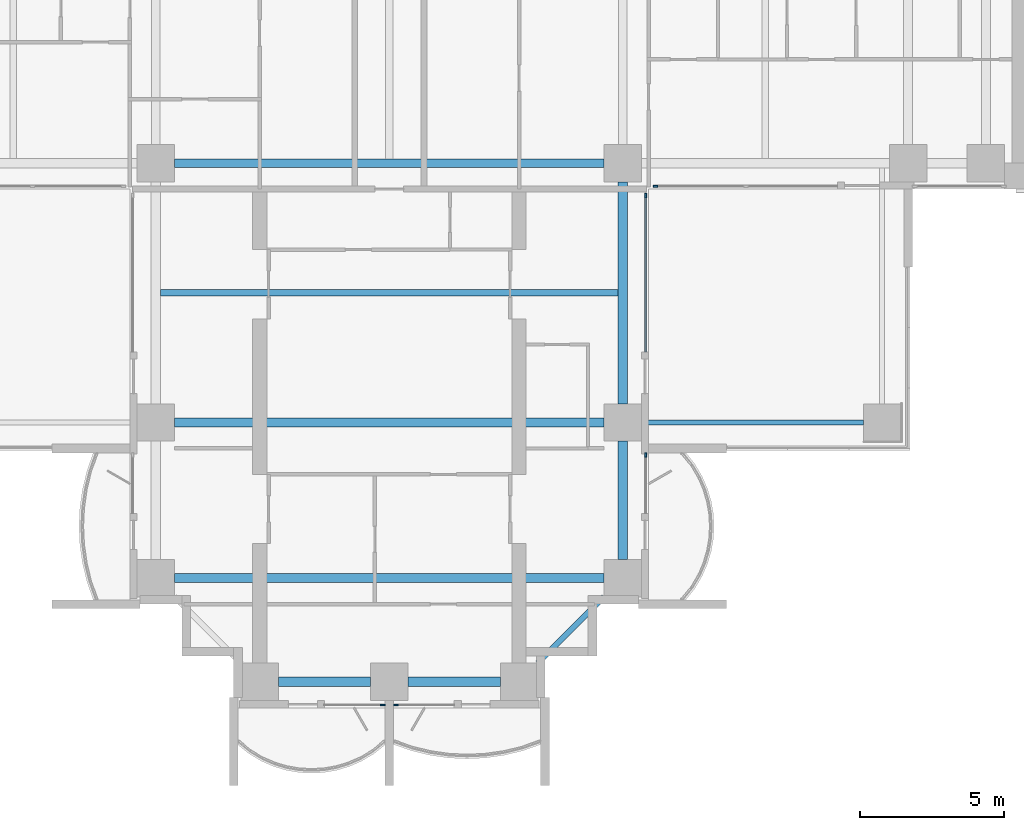
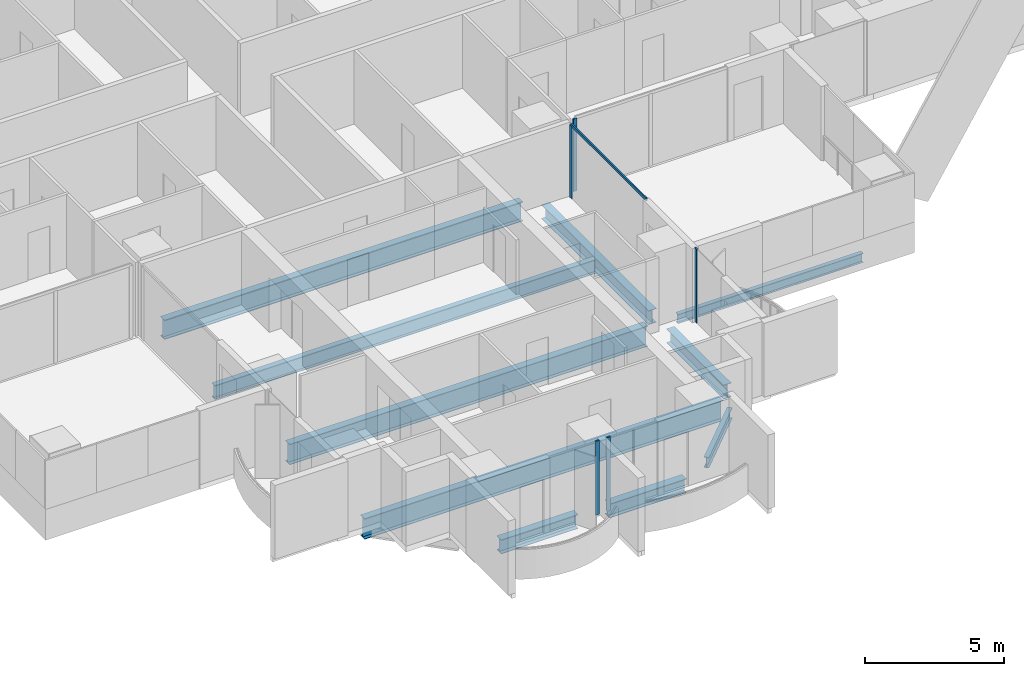
# One storey, part 3 of 21: 10 beams, 6 members, 5 elements without a shape of their own.
"""IFC4 building model written with IfcOpenShell, lengths in metres."""

import ifcopenshell
import ifcopenshell.guid

model = None  # the IFC model being written
_history = None  # IfcOwnerHistory: only IFC2X3 demands one
_inside = {}  # id of a spatial element -> (the spatial element, [elements in it])
_under = {}  # id of a project, library or spatial element -> (it, [spatial elements below it])
_declared = {}  # id of a project -> (the project, [libraries it declares])
_typed = {}  # id of a type object -> (the type object, [elements of that type])
_made_of = {}  # id of a material, layer set ... -> (it, [elements and type objects made of it])


def new_model(schema):
    """Start an empty IFC model of exactly this schema.

    Asked for "IFC4X3", IfcOpenShell would pick the latest addendum, in which some entities
    have other attributes; the version numbers below select the first issue.
    IFC2X3 requires an IfcOwnerHistory on every rooted entity: one is made here for all.
    """
    global model, _history
    if schema == "IFC4X3":
        model = ifcopenshell.file(schema_version=(4, 3, 0, 0))
    else:
        model = ifcopenshell.file(schema=schema)
    _inside.clear()
    _under.clear()
    _declared.clear()
    _typed.clear()
    _made_of.clear()
    _history = None
    if model.schema == "IFC2X3":
        org = make("IfcOrganization", Name="unknown")
        user = make(
            "IfcPersonAndOrganization",
            ThePerson=make("IfcPerson", FamilyName="unknown"),
            TheOrganization=org,
        )
        app = make(
            "IfcApplication",
            ApplicationDeveloper=org,
            Version="unknown",
            ApplicationFullName="unknown",
            ApplicationIdentifier="unknown",
        )
        _history = make(
            "IfcOwnerHistory",
            OwningUser=user,
            OwningApplication=app,
            ChangeAction="ADDED",
            CreationDate=0,
        )
    return model


def make(cls, **values):
    """One entity of the class cls with the attributes given. An attribute that is None is left unset."""
    return model.create_entity(
        cls, **{name: value for name, value in values.items() if value is not None}
    )


def rooted(cls, **values):
    """An entity with a GlobalId (a new one), such as an element, a storey or a relation."""
    return make(cls, GlobalId=ifcopenshell.guid.new(), OwnerHistory=_history, **values)


def si_unit(unit_type, name, prefix=None):
    """IfcSIUnit, for example si_unit("LENGTHUNIT", "METRE", prefix="MILLI")."""
    return make("IfcSIUnit", UnitType=unit_type, Prefix=prefix, Name=name)


def assignment(units):
    """IfcUnitAssignment: the units of a project."""
    return None if units is None else make("IfcUnitAssignment", Units=units)


def point(xyz):
    """IfcCartesianPoint."""
    return None if xyz is None else make("IfcCartesianPoint", Coordinates=xyz)


def direction(xyz):
    """IfcDirection."""
    return None if xyz is None else make("IfcDirection", DirectionRatios=xyz)


def frame(location, z_axis=None, x_axis=None):
    """IfcAxis2Placement3D, a coordinate frame: its origin and axes. An axis left out is left unset."""
    return make(
        "IfcAxis2Placement3D",
        Location=point(location),
        Axis=direction(z_axis),
        RefDirection=direction(x_axis),
    )


def frame_2d(location, x_axis=None):
    """IfcAxis2Placement2D, a coordinate frame in the plane: its origin and x axis."""
    return make(
        "IfcAxis2Placement2D", Location=point(location), RefDirection=direction(x_axis)
    )


def origin():
    """The frame at (0, 0, 0) with its axes left unset."""
    return frame((0.0, 0.0, 0.0))


def origin_2d():
    """The frame at (0, 0) in the plane with its x axis left unset."""
    return frame_2d((0.0, 0.0))


def place(relative_to, where):
    """IfcLocalPlacement: puts the frame where relative to a parent placement (None: the world)."""
    return make(
        "IfcLocalPlacement", PlacementRelTo=relative_to, RelativePlacement=where
    )


def context(
    kind, dimensions, precision=None, world=None, true_north=None, identifier=None
):
    """IfcGeometricRepresentationContext, for example the 3D "Model" context."""
    return make(
        "IfcGeometricRepresentationContext",
        ContextIdentifier=identifier,
        ContextType=kind,
        CoordinateSpaceDimension=dimensions,
        Precision=precision,
        WorldCoordinateSystem=world,
        TrueNorth=true_north,
    )


def subcontext(parent, identifier, kind, view, scale=None):
    """IfcGeometricRepresentationSubContext, for example "Body" below "Model"."""
    return make(
        "IfcGeometricRepresentationSubContext",
        ContextIdentifier=identifier,
        ContextType=kind,
        ParentContext=parent,
        TargetScale=scale,
        TargetView=view,
    )


def project(units=None, contexts=None):
    """IfcProject with its units and contexts."""
    return rooted(
        "IfcProject",
        Name="project",
        RepresentationContexts=contexts,
        UnitsInContext=assignment(units),
    )


def spatial(cls, under=None, at=None, **own):
    """A site, building, storey or space (cls), placed at a placement, below another one or the project."""
    s = rooted(cls, ObjectPlacement=at, **own)
    if under is not None:
        _under.setdefault(under.id(), (under, []))[1].append(s)
    return s


def profile(cls, at=None, kind="AREA", **sizes):
    """A parametric profile (cls). Its sizes go by their IFC names, for example OverallWidth=200.0."""
    return make(cls, ProfileType=kind, Position=at, **sizes)


def rectangle(**sizes):
    """IfcRectangleProfileDef."""
    return profile("IfcRectangleProfileDef", **sizes)


def i_section(**sizes):
    """IfcIShapeProfileDef."""
    return profile("IfcIShapeProfileDef", **sizes)


def extrude(swept, where, along, depth):
    """IfcExtrudedAreaSolid: the profile swept, set in the frame where, extruded along a direction by depth."""
    return make(
        "IfcExtrudedAreaSolid",
        SweptArea=swept,
        Position=where,
        ExtrudedDirection=direction(along),
        Depth=depth,
    )


def shape(context_of_items, identifier, shape_type, items):
    """IfcShapeRepresentation: the items that make up one representation, for example the "Body"."""
    return make(
        "IfcShapeRepresentation",
        ContextOfItems=context_of_items,
        RepresentationIdentifier=identifier,
        RepresentationType=shape_type,
        Items=items,
    )


def material(Name=None, Category=None):
    """IfcMaterial."""
    return make("IfcMaterial", Name=Name, Category=Category)


def material_profile(
    of_material, cross_section, Name=None, Category=None, Priority=None
):
    """IfcMaterialProfile: a cross section and its material."""
    return make(
        "IfcMaterialProfile",
        Name=Name,
        Material=of_material,
        Profile=cross_section,
        Priority=Priority,
        Category=Category,
    )


def profile_set(profiles, Name=None, composite=None):
    """IfcMaterialProfileSet."""
    return make(
        "IfcMaterialProfileSet",
        Name=Name,
        MaterialProfiles=profiles,
        CompositeProfile=composite,
    )


def made_of(thing, what):
    """Note that an element or type object is made of a material, layer set ...; save() writes the relation."""
    if what is not None:
        _made_of.setdefault(what.id(), (what, []))[1].append(thing)
    return thing


def type_object(cls, material=None, **own):
    """A type object (cls), such as IfcWallType, which elements share."""
    return made_of(rooted(cls, **own), material)


def element(
    cls,
    number,
    at=None,
    inside=None,
    cuts=None,
    type_object=None,
    material=None,
    context=None,
    identifier="Body",
    shape_type=None,
    held_by="IfcProductDefinitionShape",
    body=None,
    shapes=None,
    **own,
):
    """One element of the class cls, such as IfcWall. Its Tag is "e" and its number.

    at: its placement. inside: the storey or other place that contains it. cuts: it is an
    opening in that element (IfcRelVoidsElement). A single representation is given by context,
    identifier, shape_type and body (its items); several are given by shapes. held_by: the class
    of the entity that holds the representations. save() writes the other relations.
    """
    e = rooted(cls, Tag="e%d" % number, ObjectPlacement=at, **own)
    if body is not None:
        shapes = [shape(context, identifier, shape_type, body)]
    if shapes is not None:
        e.Representation = make(held_by, Representations=shapes)
    if inside is not None:
        _inside.setdefault(inside.id(), (inside, []))[1].append(e)
    if cuts is not None:
        rooted(
            "IfcRelVoidsElement", RelatingBuildingElement=cuts, RelatedOpeningElement=e
        )
    if type_object is not None:
        _typed.setdefault(type_object.id(), (type_object, []))[1].append(e)
    return made_of(e, material)


def aggregate(whole, parts):
    """IfcRelAggregates: a whole, such as a stair, and the parts it consists of."""
    return rooted("IfcRelAggregates", RelatingObject=whole, RelatedObjects=parts)


def save(model, path):
    """Write the relations noted so far, then the file.

    IfcRelAggregates (storeys below a building ...), IfcRelContainedInSpatialStructure (elements
    in a storey), IfcRelDefinesByType, IfcRelAssociatesMaterial and IfcRelDeclares: one each for
    every whole, place, type object, material and project.
    """
    for whole, parts in _under.values():
        aggregate(whole, parts)
    for where, things in _inside.values():
        rooted(
            "IfcRelContainedInSpatialStructure",
            RelatedElements=things,
            RelatingStructure=where,
        )
    for kind, things in _typed.values():
        rooted("IfcRelDefinesByType", RelatedObjects=things, RelatingType=kind)
    for what, things in _made_of.values():
        rooted("IfcRelAssociatesMaterial", RelatedObjects=things, RelatingMaterial=what)
    for by, libraries in _declared.values():
        rooted("IfcRelDeclares", RelatingContext=by, RelatedDefinitions=libraries)
    model.write(path)


model = new_model("IFC4")

# Units and contexts
model_context = context("Model", 3, precision=1e-05, world=origin(), true_north=direction((0.0, 1.0)))
body_context = subcontext(model_context, "Body", "Model", "MODEL_VIEW")
ifc_project = project(units=[si_unit("LENGTHUNIT", "METRE"), si_unit("AREAUNIT", "SQUARE_METRE"), si_unit("VOLUMEUNIT", "CUBIC_METRE"), si_unit("PLANEANGLEUNIT", "RADIAN"), si_unit("MASSUNIT", "GRAM", prefix="KILO")], contexts=[model_context])

# Site, building, storey
site_placement = place(None, origin())
site = spatial("IfcSite", under=ifc_project, at=site_placement, CompositionType="ELEMENT")
building_placement = place(site_placement, origin())
building = spatial("IfcBuilding", under=site, at=building_placement, Name="Perihelion Cross Residences", CompositionType="ELEMENT")
storey_placement = place(building_placement, frame((0.0, 0.0, 75.0)))
storey = spatial("IfcBuildingStorey", under=building, at=storey_placement, Name="L16", CompositionType="ELEMENT", Elevation=75.0)

# Curtain wall, member
ifc_material_1 = material(Name="Bronze anodised aluminium, tinted glazing", Category="aluminium")
curtain_wall_type = type_object("IfcCurtainWallType", Name="CW1", PredefinedType="NOTDEFINED", material=ifc_material_1)
curtain_wall_1_placement = place(storey_placement, origin())
curtain_wall_1 = element("IfcCurtainWall", 1, at=curtain_wall_1_placement, inside=storey, type_object=curtain_wall_type, Name="Curtain wall CW1 L16 south tip south bay 1", PredefinedType="NOTDEFINED")
ifc_material_2 = material(Name="Bronze anodised aluminium", Category="aluminium")
ifc_material_profile_1 = material_profile(ifc_material_2, rectangle(XDim=0.06005859375, YDim=0.159912109375, at=origin_2d()), Name="CW1 mullion")
ifc_profile_set_1 = profile_set([ifc_material_profile_1], Name="Bronze anodised aluminium")
member_type_1 = type_object("IfcMemberType", Name="CW1 mullion", PredefinedType="MULLION", material=ifc_profile_set_1)
member_1_placement = place(storey_placement, frame((-0.22998046875, -26.89990234375, 0.0), z_axis=(0.0, 0.0, 1.0), x_axis=(0.0, 1.0, 0.0)))
member_1 = element("IfcMember", 2, at=member_1_placement, type_object=member_type_1, Name="CW1 mullion 2", PredefinedType="MULLION", context=body_context, shape_type="SweptSolid", body=[
    extrude(rectangle(XDim=0.06005859375, YDim=0.159912109375, at=origin_2d()), origin(), (0.0, 0.0, 1.0), 3.25),
])
aggregate(curtain_wall_1, [member_1])

curtain_wall_2_placement = place(storey_placement, origin())
curtain_wall_2 = element("IfcCurtainWall", 3, at=curtain_wall_2_placement, inside=storey, type_object=curtain_wall_type, Name="Curtain wall CW1 L16 south tip south bay 2", PredefinedType="NOTDEFINED")
member_2_placement = place(storey_placement, frame((0.22998046875, -26.89990234375, 0.0), z_axis=(0.0, 0.0, 1.0), x_axis=(0.0, 1.0, 0.0)))
member_2 = element("IfcMember", 4, at=member_2_placement, type_object=member_type_1, Name="CW1 mullion 1", PredefinedType="MULLION", context=body_context, shape_type="SweptSolid", body=[
    extrude(rectangle(XDim=0.06005859375, YDim=0.159912109375, at=origin_2d()), origin(), (0.0, 0.0, 1.0), 3.25),
])
aggregate(curtain_wall_2, [member_2])

curtain_wall_3_placement = place(storey_placement, origin())
curtain_wall_3 = element("IfcCurtainWall", 5, at=curtain_wall_3_placement, inside=storey, type_object=curtain_wall_type, Name="Curtain wall CW1 L16 south side east bay 1", PredefinedType="NOTDEFINED")
member_3_placement = place(storey_placement, frame((8.89990234375, -18.22998046875, 0.0), z_axis=(0.0, 0.0, 1.0), x_axis=(-1.0, 0.0, 0.0)))
member_3 = element("IfcMember", 6, at=member_3_placement, type_object=member_type_1, Name="CW1 mullion 2", PredefinedType="MULLION", context=body_context, shape_type="SweptSolid", body=[
    extrude(rectangle(XDim=0.06005859375, YDim=0.159912109375, at=origin_2d()), origin(), (0.0, 0.0, 1.0), 3.25),
])
aggregate(curtain_wall_3, [member_3])

curtain_wall_4_placement = place(storey_placement, origin())
curtain_wall_4 = element("IfcCurtainWall", 7, at=curtain_wall_4_placement, inside=storey, type_object=curtain_wall_type, Name="Curtain wall CW1 L16 south side east bay 2", PredefinedType="NOTDEFINED")
member_4_placement = place(storey_placement, frame((8.89990234375, -9.22998046875, 0.0), z_axis=(0.0, 0.0, 1.0), x_axis=(-1.0, 0.0, 0.0)))
member_4 = element("IfcMember", 8, at=member_4_placement, type_object=member_type_1, Name="CW1 mullion 2", PredefinedType="MULLION", context=body_context, shape_type="SweptSolid", body=[
    extrude(rectangle(XDim=0.06005859375, YDim=0.159912109375, at=origin_2d()), origin(), (0.0, 0.0, 1.0), 3.18994140625),
])

curtain_wall_5_placement = place(storey_placement, origin())
curtain_wall_5 = element("IfcCurtainWall", 9, at=curtain_wall_5_placement, inside=storey, type_object=curtain_wall_type, Name="Curtain wall CW1 L16 east side south bay 1", PredefinedType="NOTDEFINED")
member_5_placement = place(storey_placement, frame((9.22998046875, -8.89990234375, 0.0), z_axis=(0.0, 0.0, 1.0), x_axis=(0.0, 1.0, 0.0)))
member_5 = element("IfcMember", 10, at=member_5_placement, type_object=member_type_1, Name="CW1 mullion 1", PredefinedType="MULLION", context=body_context, shape_type="SweptSolid", body=[
    extrude(rectangle(XDim=0.06005859375, YDim=0.159912109375, at=origin_2d()), origin(), (0.0, 0.0, 1.0), 3.18994140625),
])
aggregate(curtain_wall_5, [member_5])

# Member
ifc_material_3 = material(Name="Bronze anodised aluminium", Category="aluminium")
ifc_material_profile_2 = material_profile(ifc_material_3, rectangle(XDim=0.06005859375, YDim=0.1201171875, at=origin_2d()), Name="CW1 transom")
ifc_profile_set_2 = profile_set([ifc_material_profile_2], Name="Bronze anodised aluminium")
member_type_2 = type_object("IfcMemberType", Name="CW1 transom", PredefinedType="USERDEFINED", material=ifc_profile_set_2)
member_6_placement = place(storey_placement, frame((8.89990234375, -14.64990234375, 3.219970703125), z_axis=(0.0, 1.0, 0.0), x_axis=(-1.0, 0.0, 0.0)))
member_6 = element("IfcMember", 11, at=member_6_placement, type_object=member_type_2, Name="CW1 head transom", ObjectType="TRANSOM", PredefinedType="USERDEFINED", context=body_context, shape_type="SweptSolid", body=[
    extrude(rectangle(XDim=0.06005859375, YDim=0.1201171875, at=origin_2d()), origin(), (0.0, 0.0, 1.0), 5.419921875),
])

aggregate(curtain_wall_4, [member_4, member_6])

# Beams
ifc_material_4 = material(Name="Steel S355", Category="steel")
ifc_material_profile_3 = material_profile(ifc_material_4, i_section(OverallWidth=0.177978515625, OverallDepth=0.406005859375, WebThickness=0.0078125, FlangeThickness=0.0126953125, at=origin_2d()), Name="W410x60")
ifc_profile_set_3 = profile_set([ifc_material_profile_3], Name="Steel S355")
beam_type_1 = type_object("IfcBeamType", Name="Core edge beam W410x60", PredefinedType="BEAM", material=ifc_profile_set_3)
beam_1_placement = place(storey_placement, frame((8.75, -17.10009765625, -0.452880859375), z_axis=(1.0, 0.0, 0.0), x_axis=(0.0, 1.0, 0.0)))
element("IfcBeam", 12, at=beam_1_placement, inside=storey, type_object=beam_type_1, Name="Core edge beam TB2 L16 corner no. 6", PredefinedType="BEAM", context=body_context, shape_type="SweptSolid", body=[
    extrude(i_section(OverallWidth=0.177978515625, OverallDepth=0.406005859375, WebThickness=0.0078125, FlangeThickness=0.0126953125, at=origin_2d()), origin(), (0.0, 0.0, 1.0), 7.699951171875),
])
ifc_material_5 = material(Name="Steel S355", Category="steel")
ifc_material_profile_4 = material_profile(ifc_material_5, i_section(OverallWidth=0.324951171875, OverallDepth=0.616943359375, WebThickness=0.013916015625, FlangeThickness=0.021484375, at=origin_2d()), Name="W610x174")
ifc_profile_set_4 = profile_set([ifc_material_profile_4], Name="Steel S355")
beam_type_2 = type_object("IfcBeamType", Name="Edge beam W610x174", PredefinedType="SPANDREL", material=ifc_profile_set_4)
for number, where, z_axis, x_axis, name in (
    (13, (-3.85009765625, -26.10009765625, -0.55859375), (1.0, 0.0, 0.0), (0.0, 1.0, 0.0), "Edge beam SB2 L16 no. 4"),
    (14, (0.64990234375, -26.10009765625, -0.55859375), (1.0, 0.0, 0.0), (0.0, 1.0, 0.0), "Edge beam SB2 L16 no. 10"),
):
    element("IfcBeam", number, at=place(storey_placement, frame(where, z_axis=z_axis, x_axis=x_axis)), inside=storey, type_object=beam_type_2, Name=name, PredefinedType="SPANDREL", context=body_context, shape_type="SweptSolid", body=[
        extrude(i_section(OverallWidth=0.324951171875, OverallDepth=0.616943359375, WebThickness=0.013916015625, FlangeThickness=0.021484375, at=origin_2d()), origin(), (0.0, 0.0, 1.0), 3.2001953125),
    ])
beam_2_placement = place(storey_placement, frame((8.10009765625, -21.85009765625, -0.55859375), z_axis=(0.0, 1.0, 0.0), x_axis=(-1.0, 0.0, 0.0)))
element("IfcBeam", 15, at=beam_2_placement, inside=storey, type_object=beam_type_2, Name="Edge beam SB2 L16 no. 17", PredefinedType="SPANDREL", context=body_context, shape_type="SweptSolid", body=[
    extrude(i_section(OverallWidth=0.324951171875, OverallDepth=0.616943359375, WebThickness=0.013916015625, FlangeThickness=0.021484375, at=origin_2d()), origin(), (0.0, 0.0, 1.0), 4.10009765625),
])
beam_3_placement = place(storey_placement, frame((8.10009765625, -16.449951171875, -0.55859375), z_axis=(0.0, 1.0, 0.0), x_axis=(-1.0, 0.0, 0.0)))
element("IfcBeam", 16, at=beam_3_placement, inside=storey, type_object=beam_type_2, Name="Edge beam SB2 L16 no. 16", PredefinedType="SPANDREL", context=body_context, shape_type="SweptSolid", body=[
    extrude(i_section(OverallWidth=0.324951171875, OverallDepth=0.616943359375, WebThickness=0.013916015625, FlangeThickness=0.021484375, at=origin_2d()), origin(), (0.0, 0.0, 1.0), 7.699951171875),
])
ifc_material_6 = material(Name="Steel S355", Category="steel")
ifc_material_profile_5 = material_profile(ifc_material_6, i_section(OverallWidth=0.304931640625, OverallDepth=0.904052734375, WebThickness=0.01513671875, FlangeThickness=0.02001953125, at=origin_2d()), Name="W920x201")
ifc_profile_set_5 = profile_set([ifc_material_profile_5], Name="Steel S355")
beam_type_3 = type_object("IfcBeamType", Name="Floor girder W920x201", PredefinedType="BEAM", material=ifc_profile_set_5)
for number, where, z_axis, x_axis, name in (
    (17, (-7.449951171875, -17.10009765625, -0.701904296875), (1.0, 0.0, 0.0), (0.0, 1.0, 0.0), "Girder G2 L16 no. 3"),
    (18, (-7.449951171875, -22.5, -0.701904296875), (1.0, 0.0, 0.0), (0.0, 1.0, 0.0), "Girder G2 L16 no. 4"),
):
    element("IfcBeam", number, at=place(storey_placement, frame(where, z_axis=z_axis, x_axis=x_axis)), inside=storey, type_object=beam_type_3, Name=name, PredefinedType="BEAM", context=body_context, shape_type="SweptSolid", body=[
        extrude(i_section(OverallWidth=0.304931640625, OverallDepth=0.904052734375, WebThickness=0.01513671875, FlangeThickness=0.02001953125, at=origin_2d()), origin(), (0.0, 0.0, 1.0), 14.89990234375),
    ])
ifc_material_7 = material(Name="Steel S355", Category="steel")
ifc_material_profile_6 = material_profile(ifc_material_7, i_section(OverallWidth=0.22900390625, OverallDepth=0.612060546875, WebThickness=0.011962890625, FlangeThickness=0.01953125, at=origin_2d()), Name="W610x125")
ifc_profile_set_6 = profile_set([ifc_material_profile_6], Name="Steel S355")
beam_type_4 = type_object("IfcBeamType", Name="Floor joist W610x125", PredefinedType="JOIST", material=ifc_profile_set_6)
beam_4_placement = place(storey_placement, frame((-7.9375, -12.60009765625, -0.555908203125), z_axis=(1.0, 0.0, 0.0), x_axis=(0.0, 1.0, 0.0)))
element("IfcBeam", 19, at=beam_4_placement, inside=storey, type_object=beam_type_4, Name="Joist J3 L16 no. 3", PredefinedType="JOIST", context=body_context, shape_type="SweptSolid", body=[
    extrude(i_section(OverallWidth=0.22900390625, OverallDepth=0.612060546875, WebThickness=0.011962890625, FlangeThickness=0.01953125, at=origin_2d()), origin(), (0.0, 0.0, 1.0), 15.875),
])
ifc_material_8 = material(Name="Steel S355", Category="steel")
ifc_material_profile_7 = material_profile(ifc_material_8, i_section(OverallWidth=0.2919921875, OverallDepth=0.85888671875, WebThickness=0.01708984375, FlangeThickness=0.031005859375, at=origin_2d()), Name="W840x251")
ifc_profile_set_7 = profile_set([ifc_material_profile_7], Name="Steel S355")
beam_type_5 = type_object("IfcBeamType", Name="Hub ring girder W840x251", PredefinedType="BEAM", material=ifc_profile_set_7)
beam_5_placement = place(storey_placement, frame((-7.449951171875, -8.10009765625, -0.679443359375), z_axis=(1.0, 0.0, 0.0), x_axis=(0.0, 1.0, 0.0)))
element("IfcBeam", 20, at=beam_5_placement, inside=storey, type_object=beam_type_5, Name="Hub ring girder RG2 L16 no. 1", PredefinedType="BEAM", context=body_context, shape_type="SweptSolid", body=[
    extrude(i_section(OverallWidth=0.2919921875, OverallDepth=0.85888671875, WebThickness=0.01708984375, FlangeThickness=0.031005859375, at=origin_2d()), origin(), (0.0, 0.0, 1.0), 14.89990234375),
])
ifc_material_9 = material(Name="Steel S355", Category="steel")
ifc_material_profile_8 = material_profile(ifc_material_9, i_section(OverallWidth=0.194091796875, OverallDepth=0.469970703125, WebThickness=0.0126953125, FlangeThickness=0.0205078125, at=origin_2d()), Name="W460x106")
ifc_profile_set_8 = profile_set([ifc_material_profile_8], Name="Steel S355")
beam_type_6 = type_object("IfcBeamType", Name="Serration edge beam W460x106", PredefinedType="BEAM", material=ifc_profile_set_8)
beam_6_placement = place(storey_placement, frame((5.14990234375, -25.449951171875, -0.485107421875), z_axis=(0.707106781187, 0.707106781187, 0.0), x_axis=(-0.707106781187, 0.707106781187, 0.0)))
element("IfcBeam", 21, at=beam_6_placement, inside=storey, type_object=beam_type_6, Name="Serration edge beam EB2 L16 no. 3", PredefinedType="BEAM", context=body_context, shape_type="SweptSolid", body=[
    extrude(i_section(OverallWidth=0.194091796875, OverallDepth=0.469970703125, WebThickness=0.0126953125, FlangeThickness=0.0205078125, at=origin_2d()), origin(), (0.0, 0.0, 1.0), 3.252685546875),
])

save(model, "model.ifc")
